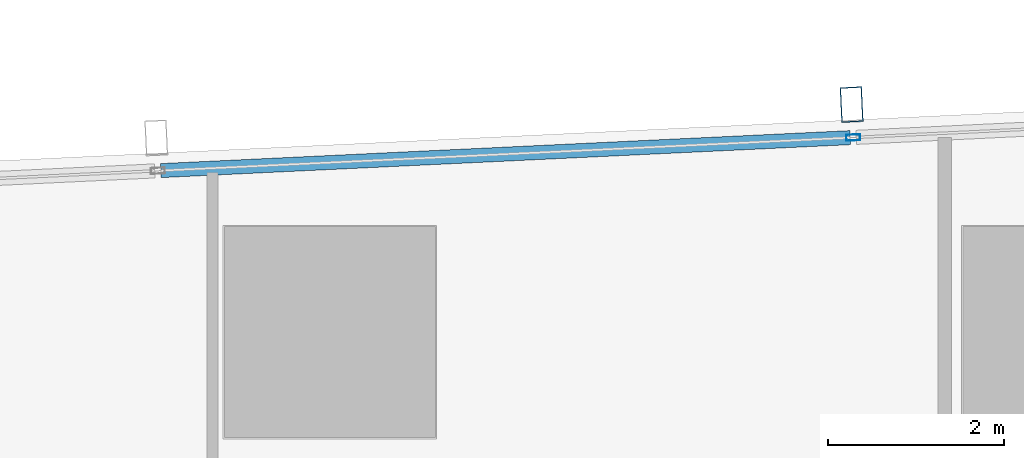
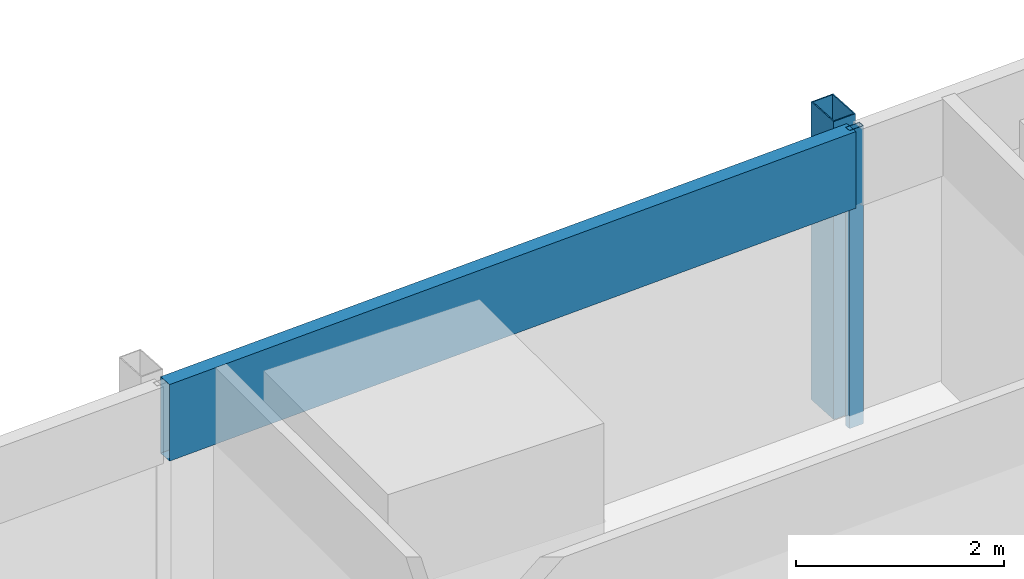
# One storey, part 16 of 37: 3 members, 1 element without a shape of its own.
"""IFC4 building model written with IfcOpenShell, lengths in metres."""

from ifc_helpers import new_model, si_unit, direction, frame, origin, origin_2d, place, context, subcontext, project, spatial, hollow_rectangle, extrude, material, material_profile, profile_set, type_object, element, aggregate, save


model = new_model("IFC4")

# Units and contexts
model_context = context("Model", 3, precision=1e-05, world=origin(), true_north=direction((0.0, 1.0)))
body_context = subcontext(model_context, "Body", "Model", "MODEL_VIEW")
ifc_project = project(units=[si_unit("LENGTHUNIT", "METRE"), si_unit("AREAUNIT", "SQUARE_METRE"), si_unit("VOLUMEUNIT", "CUBIC_METRE"), si_unit("PLANEANGLEUNIT", "RADIAN"), si_unit("MASSUNIT", "GRAM", prefix="KILO")], contexts=[model_context])

# Site, building, storey
site_placement = place(None, origin())
site = spatial("IfcSite", under=ifc_project, at=site_placement, CompositionType="ELEMENT")
building_placement = place(site_placement, origin())
building = spatial("IfcBuilding", under=site, at=building_placement, Name="Rekha Terrace Tower", CompositionType="ELEMENT")
storey_placement = place(building_placement, frame((0.0, 0.0, 228.949951171875)))
storey = spatial("IfcBuildingStorey", under=building, at=storey_placement, Name="L58", CompositionType="ELEMENT", Elevation=228.949951171875)

# Curtain wall, members
ifc_material_1 = material(Name="Aluminium framing", Category="aluminium")
curtain_wall_type = type_object("IfcCurtainWallType", Name="CW3 north unitised glazing", PredefinedType="USERDEFINED", material=ifc_material_1)
curtain_wall_placement = place(storey_placement, origin())
curtain_wall = element("IfcCurtainWall", 1, at=curtain_wall_placement, inside=storey, type_object=curtain_wall_type, Name="CW3 unitised curtain wall", ObjectType="UNITISED CURTAIN WALL", PredefinedType="USERDEFINED")
ifc_material_2 = material(Name="Steel S355 with fluorocarbon finish", Category="steel")
ifc_material_profile_1 = material_profile(ifc_material_2, hollow_rectangle(XDim=0.25, YDim=0.39990234375, WallThickness=0.012451171875, at=origin_2d()), Name="RHS400x250x12.5")
ifc_profile_set_1 = profile_set([ifc_material_profile_1], Name="Steel S355 with fluorocarbon finish")
member_type_1 = type_object("IfcMemberType", Name="BL1 facade blade RHS 400 x 250", PredefinedType="USERDEFINED", material=ifc_profile_set_1)
member_1_placement = place(storey_placement, frame((22.734130859375, 61.389404296875, 0.0), z_axis=(0.0, 0.0, 1.0), x_axis=(-0.998858913274, -0.04775846913, 0.0)))
member_1 = element("IfcMember", 2, at=member_1_placement, type_object=member_type_1, Name="Facade blade", ObjectType="FACADE BLADE", PredefinedType="USERDEFINED", context=body_context, shape_type="SweptSolid", body=[
    extrude(hollow_rectangle(XDim=0.25, YDim=0.39990234375, WallThickness=0.012451171875, at=origin_2d()), origin(), (0.0, 0.0, 1.0), 3.5),
])
ifc_material_3 = material(Name="Aluminium mullion section", Category="aluminium")
ifc_material_profile_2 = material_profile(ifc_material_3, hollow_rectangle(XDim=0.070068359375, YDim=0.159912109375, WallThickness=0.00390625, at=origin_2d()), Name="AL RHS 70x160")
ifc_profile_set_2 = profile_set([ifc_material_profile_2], Name="Aluminium mullion section")
member_type_2 = type_object("IfcMemberType", Name="CW3 mullion RHS 70 x 160", PredefinedType="MULLION", material=ifc_profile_set_2)
member_2_placement = place(storey_placement, frame((22.751953125, 61.014892578125, 0.0), z_axis=(0.0, 0.0, 1.0), x_axis=(0.047758616983, -0.998858906204, 0.0)))
member_2 = element("IfcMember", 3, at=member_2_placement, type_object=member_type_2, Name="CW3 mullion 4", PredefinedType="MULLION", context=body_context, shape_type="SweptSolid", body=[
    extrude(hollow_rectangle(XDim=0.070068359375, YDim=0.159912109375, WallThickness=0.00390625, at=origin_2d()), origin(), (0.0, 0.0, 1.0), 3.5),
])
ifc_material_4 = material(Name="Insulated aluminium spandrel box", Category="aluminium")
ifc_material_profile_3 = material_profile(ifc_material_4, hollow_rectangle(XDim=0.159912109375, YDim=0.89990234375, WallThickness=0.0029296875, at=origin_2d()), Name="AL SPANDREL BOX 160x900")
ifc_profile_set_3 = profile_set([ifc_material_profile_3], Name="Insulated aluminium spandrel box")
member_type_3 = type_object("IfcMemberType", Name="CW3 spandrel transom 160 x 900", PredefinedType="USERDEFINED", material=ifc_profile_set_3)
member_3_placement = place(storey_placement, frame((22.717041015625, 61.01318359375, 3.050048828125), z_axis=(-0.998859252362, -0.047751376635, 0.0), x_axis=(0.047751376635, -0.998859252362, 0.0)))
member_3 = element("IfcMember", 4, at=member_3_placement, type_object=member_type_3, Name="CW3 spandrel transom 4", ObjectType="TRANSOM", PredefinedType="USERDEFINED", context=body_context, shape_type="SweptSolid", body=[
    extrude(hollow_rectangle(XDim=0.159912109375, YDim=0.89990234375, WallThickness=0.0029296875, at=origin_2d()), origin(), (0.0, 0.0, 1.0), 7.84814453125),
])
aggregate(curtain_wall, [member_2, member_3, member_1])

save(model, "model.ifc")
